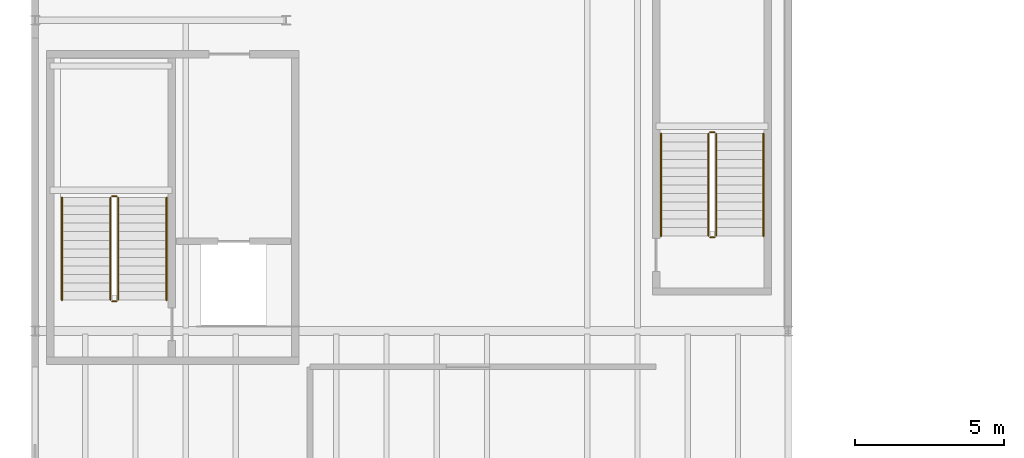
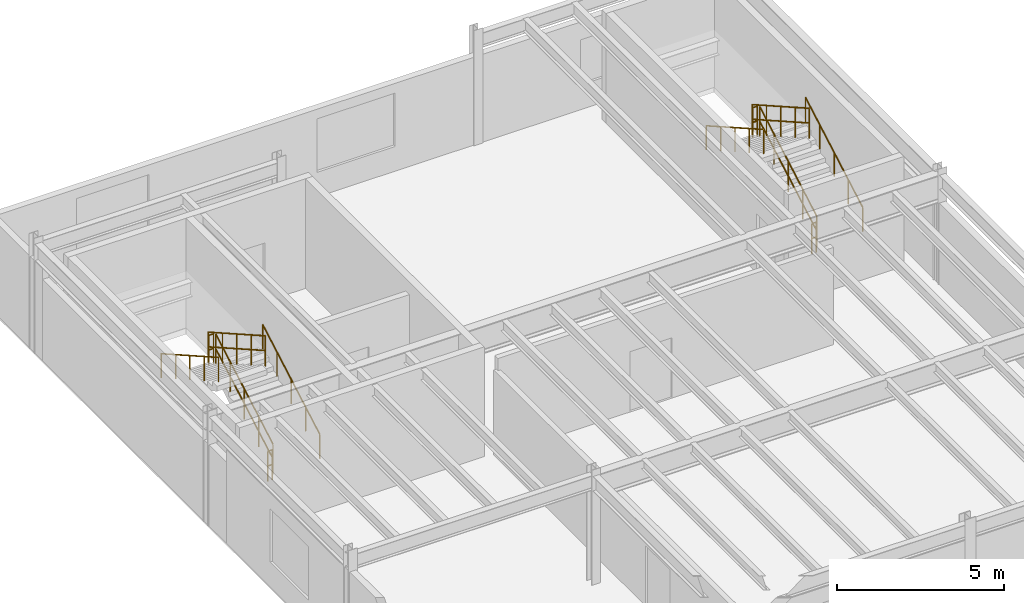
# One storey, part 53 of 54: 12 railings.
"""IFC4 building model written with IfcOpenShell, lengths in metres."""

from ifc_helpers import new_model, si_unit, direction, frame, origin, origin_2d, place, context, subcontext, project, spatial, circle, extrude, material, layer, layer_set, type_object, element, save


model = new_model("IFC4")

# Units and contexts
model_context = context("Model", 3, precision=1e-05, world=origin(), true_north=direction((0.0, 1.0)))
body_context = subcontext(model_context, "Body", "Model", "MODEL_VIEW")
ifc_project = project(units=[si_unit("LENGTHUNIT", "METRE"), si_unit("AREAUNIT", "SQUARE_METRE"), si_unit("VOLUMEUNIT", "CUBIC_METRE"), si_unit("PLANEANGLEUNIT", "RADIAN"), si_unit("MASSUNIT", "GRAM", prefix="KILO")], contexts=[model_context])

# Site, building, storey
site_placement = place(None, origin())
site = spatial("IfcSite", under=ifc_project, at=site_placement, CompositionType="ELEMENT")
building_placement = place(site_placement, origin())
building = spatial("IfcBuilding", under=site, at=building_placement, Name="Selat Folded Stagehouse", CompositionType="ELEMENT")
storey_placement = place(building_placement, frame((0.0, 0.0, 15.0)))
storey = spatial("IfcBuildingStorey", under=building, at=storey_placement, Name="L03", CompositionType="ELEMENT", Elevation=15.0)

# Railings
ifc_material_1 = material(Name="Bronze-anodised steel balustrade", Category="steel")
ifc_layer_1 = layer(ifc_material_1, 0.06494140625)
ifc_layer_set_1 = layer_set([ifc_layer_1], Name="Bronze-anodised steel balustrade")
railing_type_1 = type_object("IfcRailingType", Name="RLG-BAL-1120", PredefinedType="BALUSTRADE", material=ifc_layer_set_1)
railing_1_placement = place(storey_placement, frame((2.780029296875, 71.840087890625, 0.16162109375)))
element("IfcRailing", 1, at=railing_1_placement, inside=storey, type_object=railing_type_1, Name="L03 ST-05 stair well guard 1", PredefinedType="BALUSTRADE", context=body_context, shape_type="SweptSolid", body=[
    extrude(circle(Radius=0.02392578125, at=origin_2d()), frame((0.0, 0.0, 1.09619140625), z_axis=(0.0, 0.869965350696, 0.493112855834), x_axis=(-1.0, 0.0, 0.0)), (0.0, 0.0, 1.0), 3.93115234375),
    extrude(circle(Radius=0.02392578125, at=origin_2d()), frame((0.0, 0.0, 0.56005859375), z_axis=(0.0, 0.869965350696, 0.493112855834), x_axis=(-1.0, 0.0, 0.0)), (0.0, 0.0, 1.0), 3.93115234375),
    extrude(circle(Radius=0.02099609375, at=origin_2d()), origin(), (0.0, 0.0, 1.0), 1.072021484375),
    extrude(circle(Radius=0.02099609375, at=origin_2d()), frame((0.0, 0.85498046875, 0.484619140625)), (0.0, 0.0, 1.0), 1.072021484375),
    extrude(circle(Radius=0.02099609375, at=origin_2d()), frame((0.0, 1.7099609375, 0.96923828125)), (0.0, 0.0, 1.0), 1.072021484375),
    extrude(circle(Radius=0.02099609375, at=origin_2d()), frame((0.0, 2.56494140625, 1.453857421875)), (0.0, 0.0, 1.0), 1.072021484375),
    extrude(circle(Radius=0.02099609375, at=origin_2d()), frame((0.0, 3.419921875, 1.9384765625)), (0.0, 0.0, 1.0), 1.072021484375),
])
railing_2_placement = place(storey_placement, frame((2.72998046875, 75.31005859375, 2.10009765625)))
element("IfcRailing", 2, at=railing_2_placement, inside=storey, type_object=railing_type_1, Name="L03 ST-05 stair well guard 2", PredefinedType="BALUSTRADE", context=body_context, shape_type="SweptSolid", body=[
    extrude(circle(Radius=0.02392578125, at=origin_2d()), frame((0.0, 0.0, 1.09619140625), z_axis=(-1.0, 0.0, 0.0), x_axis=(0.0, -1.0, 0.0)), (0.0, 0.0, 1.0), 0.159912109375),
    extrude(circle(Radius=0.02392578125, at=origin_2d()), frame((0.0, 0.0, 0.56005859375), z_axis=(-1.0, 0.0, 0.0), x_axis=(0.0, -1.0, 0.0)), (0.0, 0.0, 1.0), 0.159912109375),
    extrude(circle(Radius=0.02099609375, at=origin_2d()), origin(), (0.0, 0.0, 1.0), 1.072021484375),
    extrude(circle(Radius=0.02099609375, at=origin_2d()), frame((-0.159912109375, 0.0, 0.0)), (0.0, 0.0, 1.0), 1.072021484375),
])
railing_3_placement = place(storey_placement, frame((2.52001953125, 75.260009765625, 2.261474609375)))
element("IfcRailing", 3, at=railing_3_placement, inside=storey, type_object=railing_type_1, Name="L03 ST-05 stair well guard 3", PredefinedType="BALUSTRADE", context=body_context, shape_type="SweptSolid", body=[
    extrude(circle(Radius=0.02392578125, at=origin_2d()), frame((0.0, 0.0, 1.09619140625), z_axis=(0.0, -0.869965350696, 0.493112855834), x_axis=(1.0, 0.0, 0.0)), (0.0, 0.0, 1.0), 3.93115234375),
    extrude(circle(Radius=0.02392578125, at=origin_2d()), frame((0.0, 0.0, 0.56005859375), z_axis=(0.0, -0.869965350696, 0.493112855834), x_axis=(1.0, 0.0, 0.0)), (0.0, 0.0, 1.0), 3.93115234375),
    extrude(circle(Radius=0.02099609375, at=origin_2d()), origin(), (0.0, 0.0, 1.0), 1.072021484375),
    extrude(circle(Radius=0.02099609375, at=origin_2d()), frame((0.0, -0.85498046875, 0.484619140625)), (0.0, 0.0, 1.0), 1.072021484375),
    extrude(circle(Radius=0.02099609375, at=origin_2d()), frame((0.0, -1.7099609375, 0.96923828125)), (0.0, 0.0, 1.0), 1.072021484375),
    extrude(circle(Radius=0.02099609375, at=origin_2d()), frame((0.0, -2.56494140625, 1.453857421875)), (0.0, 0.0, 1.0), 1.072021484375),
    extrude(circle(Radius=0.02099609375, at=origin_2d()), frame((0.0, -3.419921875, 1.9384765625)), (0.0, 0.0, 1.0), 1.072021484375),
])
railing_4_placement = place(storey_placement, frame((2.72998046875, 71.7900390625, 0.0)))
element("IfcRailing", 4, at=railing_4_placement, inside=storey, type_object=railing_type_1, Name="L03 ST-05 stair well guard 4", PredefinedType="BALUSTRADE", context=body_context, shape_type="SweptSolid", body=[
    extrude(circle(Radius=0.02392578125, at=origin_2d()), frame((0.0, 0.0, 1.09619140625), z_axis=(-1.0, 0.0, 0.0), x_axis=(0.0, -1.0, 0.0)), (0.0, 0.0, 1.0), 0.159912109375),
    extrude(circle(Radius=0.02392578125, at=origin_2d()), frame((0.0, 0.0, 0.56005859375), z_axis=(-1.0, 0.0, 0.0), x_axis=(0.0, -1.0, 0.0)), (0.0, 0.0, 1.0), 0.159912109375),
    extrude(circle(Radius=0.02099609375, at=origin_2d()), origin(), (0.0, 0.0, 1.0), 1.072021484375),
    extrude(circle(Radius=0.02099609375, at=origin_2d()), frame((-0.159912109375, 0.0, 0.0)), (0.0, 0.0, 1.0), 1.072021484375),
])
railing_5_placement = place(storey_placement, frame((22.7900390625, 73.97998046875, 0.16162109375)))
element("IfcRailing", 5, at=railing_5_placement, inside=storey, type_object=railing_type_1, Name="L03 ST-07 stair well guard 1", PredefinedType="BALUSTRADE", context=body_context, shape_type="SweptSolid", body=[
    extrude(circle(Radius=0.02392578125, at=origin_2d()), frame((0.0, 0.0, 1.09619140625), z_axis=(0.0, 0.869965350696, 0.493112855834), x_axis=(-1.0, 0.0, 0.0)), (0.0, 0.0, 1.0), 3.93115234375),
    extrude(circle(Radius=0.02392578125, at=origin_2d()), frame((0.0, 0.0, 0.56005859375), z_axis=(0.0, 0.869965350696, 0.493112855834), x_axis=(-1.0, 0.0, 0.0)), (0.0, 0.0, 1.0), 3.93115234375),
    extrude(circle(Radius=0.02099609375, at=origin_2d()), origin(), (0.0, 0.0, 1.0), 1.072021484375),
    extrude(circle(Radius=0.02099609375, at=origin_2d()), frame((0.0, 0.85498046875, 0.484619140625)), (0.0, 0.0, 1.0), 1.072021484375),
    extrude(circle(Radius=0.02099609375, at=origin_2d()), frame((0.0, 1.7099609375, 0.96923828125)), (0.0, 0.0, 1.0), 1.072021484375),
    extrude(circle(Radius=0.02099609375, at=origin_2d()), frame((0.0, 2.56494140625, 1.453857421875)), (0.0, 0.0, 1.0), 1.072021484375),
    extrude(circle(Radius=0.02099609375, at=origin_2d()), frame((0.0, 3.419921875, 1.9384765625)), (0.0, 0.0, 1.0), 1.072021484375),
])
railing_6_placement = place(storey_placement, frame((22.739990234375, 77.449951171875, 2.10009765625)))
element("IfcRailing", 6, at=railing_6_placement, inside=storey, type_object=railing_type_1, Name="L03 ST-07 stair well guard 2", PredefinedType="BALUSTRADE", context=body_context, shape_type="SweptSolid", body=[
    extrude(circle(Radius=0.02392578125, at=origin_2d()), frame((0.0, 0.0, 1.09619140625), z_axis=(-1.0, 0.0, 0.0), x_axis=(0.0, -1.0, 0.0)), (0.0, 0.0, 1.0), 0.159912109375),
    extrude(circle(Radius=0.02392578125, at=origin_2d()), frame((0.0, 0.0, 0.56005859375), z_axis=(-1.0, 0.0, 0.0), x_axis=(0.0, -1.0, 0.0)), (0.0, 0.0, 1.0), 0.159912109375),
    extrude(circle(Radius=0.02099609375, at=origin_2d()), origin(), (0.0, 0.0, 1.0), 1.072021484375),
    extrude(circle(Radius=0.02099609375, at=origin_2d()), frame((-0.159912109375, 0.0, 0.0)), (0.0, 0.0, 1.0), 1.072021484375),
])
railing_7_placement = place(storey_placement, frame((22.530029296875, 77.39990234375, 2.261474609375)))
element("IfcRailing", 7, at=railing_7_placement, inside=storey, type_object=railing_type_1, Name="L03 ST-07 stair well guard 3", PredefinedType="BALUSTRADE", context=body_context, shape_type="SweptSolid", body=[
    extrude(circle(Radius=0.02392578125, at=origin_2d()), frame((0.0, 0.0, 1.09619140625), z_axis=(0.0, -0.869965350696, 0.493112855834), x_axis=(1.0, 0.0, 0.0)), (0.0, 0.0, 1.0), 3.93115234375),
    extrude(circle(Radius=0.02392578125, at=origin_2d()), frame((0.0, 0.0, 0.56005859375), z_axis=(0.0, -0.869965350696, 0.493112855834), x_axis=(1.0, 0.0, 0.0)), (0.0, 0.0, 1.0), 3.93115234375),
    extrude(circle(Radius=0.02099609375, at=origin_2d()), origin(), (0.0, 0.0, 1.0), 1.072021484375),
    extrude(circle(Radius=0.02099609375, at=origin_2d()), frame((0.0, -0.85498046875, 0.484619140625)), (0.0, 0.0, 1.0), 1.072021484375),
    extrude(circle(Radius=0.02099609375, at=origin_2d()), frame((0.0, -1.7099609375, 0.96923828125)), (0.0, 0.0, 1.0), 1.072021484375),
    extrude(circle(Radius=0.02099609375, at=origin_2d()), frame((0.0, -2.56494140625, 1.453857421875)), (0.0, 0.0, 1.0), 1.072021484375),
    extrude(circle(Radius=0.02099609375, at=origin_2d()), frame((0.0, -3.419921875, 1.9384765625)), (0.0, 0.0, 1.0), 1.072021484375),
])
railing_8_placement = place(storey_placement, frame((22.739990234375, 73.929931640625, 0.0)))
element("IfcRailing", 8, at=railing_8_placement, inside=storey, type_object=railing_type_1, Name="L03 ST-07 stair well guard 4", PredefinedType="BALUSTRADE", context=body_context, shape_type="SweptSolid", body=[
    extrude(circle(Radius=0.02392578125, at=origin_2d()), frame((0.0, 0.0, 1.09619140625), z_axis=(-1.0, 0.0, 0.0), x_axis=(0.0, -1.0, 0.0)), (0.0, 0.0, 1.0), 0.159912109375),
    extrude(circle(Radius=0.02392578125, at=origin_2d()), frame((0.0, 0.0, 0.56005859375), z_axis=(-1.0, 0.0, 0.0), x_axis=(0.0, -1.0, 0.0)), (0.0, 0.0, 1.0), 0.159912109375),
    extrude(circle(Radius=0.02099609375, at=origin_2d()), origin(), (0.0, 0.0, 1.0), 1.072021484375),
    extrude(circle(Radius=0.02099609375, at=origin_2d()), frame((-0.159912109375, 0.0, 0.0)), (0.0, 0.0, 1.0), 1.072021484375),
])
ifc_material_2 = material(Name="Brushed stainless steel 1.4301", Category="steel")
ifc_layer_2 = layer(ifc_material_2, 0.048095703125)
ifc_layer_set_2 = layer_set([ifc_layer_2], Name="Brushed stainless steel 1.4301")
railing_type_2 = type_object("IfcRailingType", Name="RLG-HANDRAIL-900", PredefinedType="HANDRAIL", material=ifc_layer_set_2)
railing_9_placement = place(storey_placement, frame((4.39990234375, 71.840087890625, 0.16162109375)))
element("IfcRailing", 9, at=railing_9_placement, inside=storey, type_object=railing_type_2, Name="L03 ST-05 wall handrail 1", PredefinedType="HANDRAIL", context=body_context, shape_type="SweptSolid", body=[
    extrude(circle(Radius=0.02392578125, at=origin_2d()), frame((0.0, 0.0, 0.8759765625), z_axis=(0.0, 0.869965350696, 0.493112855834), x_axis=(-1.0, 0.0, 0.0)), (0.0, 0.0, 1.0), 3.93115234375),
    extrude(circle(Radius=0.02099609375, at=origin_2d()), origin(), (0.0, 0.0, 1.0), 0.851806640625),
    extrude(circle(Radius=0.02099609375, at=origin_2d()), frame((0.0, 0.85498046875, 0.484619140625)), (0.0, 0.0, 1.0), 0.851806640625),
    extrude(circle(Radius=0.02099609375, at=origin_2d()), frame((0.0, 1.7099609375, 0.96923828125)), (0.0, 0.0, 1.0), 0.851806640625),
    extrude(circle(Radius=0.02099609375, at=origin_2d()), frame((0.0, 2.56494140625, 1.453857421875)), (0.0, 0.0, 1.0), 0.851806640625),
    extrude(circle(Radius=0.02099609375, at=origin_2d()), frame((0.0, 3.419921875, 1.9384765625)), (0.0, 0.0, 1.0), 0.851806640625),
])
railing_10_placement = place(storey_placement, frame((0.89990234375, 75.260009765625, 2.261474609375)))
element("IfcRailing", 10, at=railing_10_placement, inside=storey, type_object=railing_type_2, Name="L03 ST-05 wall handrail 2", PredefinedType="HANDRAIL", context=body_context, shape_type="SweptSolid", body=[
    extrude(circle(Radius=0.02392578125, at=origin_2d()), frame((0.0, 0.0, 0.8759765625), z_axis=(0.0, -0.869965350696, 0.493112855834), x_axis=(1.0, 0.0, 0.0)), (0.0, 0.0, 1.0), 3.93115234375),
    extrude(circle(Radius=0.02099609375, at=origin_2d()), origin(), (0.0, 0.0, 1.0), 0.851806640625),
    extrude(circle(Radius=0.02099609375, at=origin_2d()), frame((0.0, -0.85498046875, 0.484619140625)), (0.0, 0.0, 1.0), 0.851806640625),
    extrude(circle(Radius=0.02099609375, at=origin_2d()), frame((0.0, -1.7099609375, 0.96923828125)), (0.0, 0.0, 1.0), 0.851806640625),
    extrude(circle(Radius=0.02099609375, at=origin_2d()), frame((0.0, -2.56494140625, 1.453857421875)), (0.0, 0.0, 1.0), 0.851806640625),
    extrude(circle(Radius=0.02099609375, at=origin_2d()), frame((0.0, -3.419921875, 1.9384765625)), (0.0, 0.0, 1.0), 0.851806640625),
])
railing_11_placement = place(storey_placement, frame((24.3701171875, 73.97998046875, 0.16162109375)))
element("IfcRailing", 11, at=railing_11_placement, inside=storey, type_object=railing_type_2, Name="L03 ST-07 wall handrail 1", PredefinedType="HANDRAIL", context=body_context, shape_type="SweptSolid", body=[
    extrude(circle(Radius=0.02392578125, at=origin_2d()), frame((0.0, 0.0, 0.8759765625), z_axis=(0.0, 0.869965350696, 0.493112855834), x_axis=(-1.0, 0.0, 0.0)), (0.0, 0.0, 1.0), 3.93115234375),
    extrude(circle(Radius=0.02099609375, at=origin_2d()), origin(), (0.0, 0.0, 1.0), 0.851806640625),
    extrude(circle(Radius=0.02099609375, at=origin_2d()), frame((0.0, 0.85498046875, 0.484619140625)), (0.0, 0.0, 1.0), 0.851806640625),
    extrude(circle(Radius=0.02099609375, at=origin_2d()), frame((0.0, 1.7099609375, 0.96923828125)), (0.0, 0.0, 1.0), 0.851806640625),
    extrude(circle(Radius=0.02099609375, at=origin_2d()), frame((0.0, 2.56494140625, 1.453857421875)), (0.0, 0.0, 1.0), 0.851806640625),
    extrude(circle(Radius=0.02099609375, at=origin_2d()), frame((0.0, 3.419921875, 1.9384765625)), (0.0, 0.0, 1.0), 0.851806640625),
])
railing_12_placement = place(storey_placement, frame((20.949951171875, 77.39990234375, 2.261474609375)))
element("IfcRailing", 12, at=railing_12_placement, inside=storey, type_object=railing_type_2, Name="L03 ST-07 wall handrail 2", PredefinedType="HANDRAIL", context=body_context, shape_type="SweptSolid", body=[
    extrude(circle(Radius=0.02392578125, at=origin_2d()), frame((0.0, 0.0, 0.8759765625), z_axis=(0.0, -0.869965350696, 0.493112855834), x_axis=(1.0, 0.0, 0.0)), (0.0, 0.0, 1.0), 3.93115234375),
    extrude(circle(Radius=0.02099609375, at=origin_2d()), origin(), (0.0, 0.0, 1.0), 0.851806640625),
    extrude(circle(Radius=0.02099609375, at=origin_2d()), frame((0.0, -0.85498046875, 0.484619140625)), (0.0, 0.0, 1.0), 0.851806640625),
    extrude(circle(Radius=0.02099609375, at=origin_2d()), frame((0.0, -1.7099609375, 0.96923828125)), (0.0, 0.0, 1.0), 0.851806640625),
    extrude(circle(Radius=0.02099609375, at=origin_2d()), frame((0.0, -2.56494140625, 1.453857421875)), (0.0, 0.0, 1.0), 0.851806640625),
    extrude(circle(Radius=0.02099609375, at=origin_2d()), frame((0.0, -3.419921875, 1.9384765625)), (0.0, 0.0, 1.0), 0.851806640625),
])

save(model, "model.ifc")
